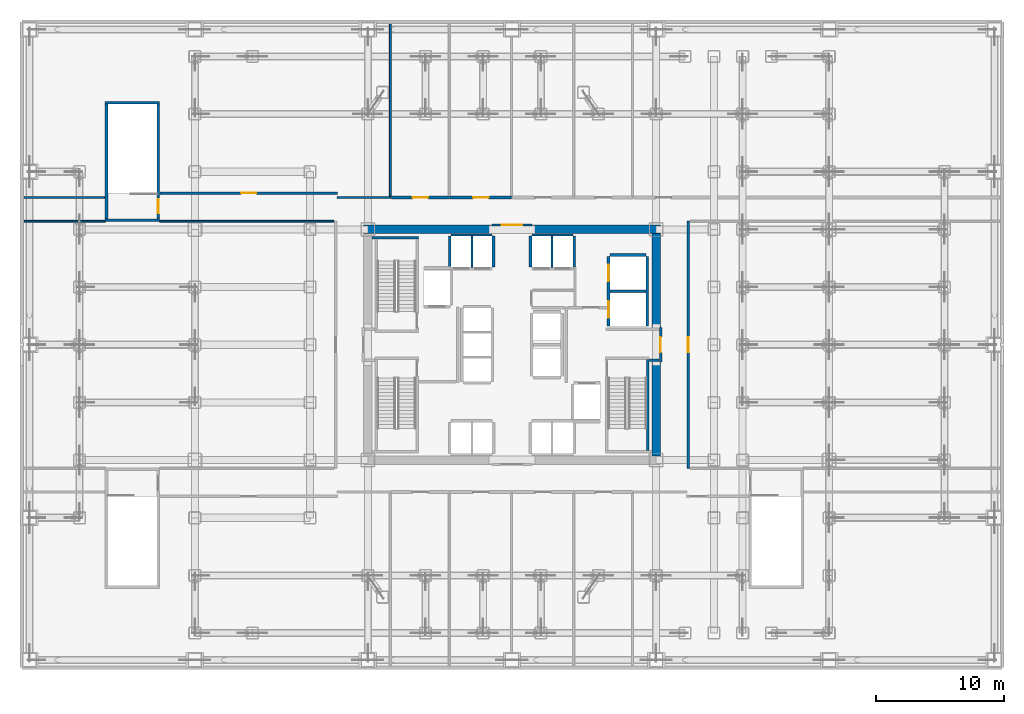
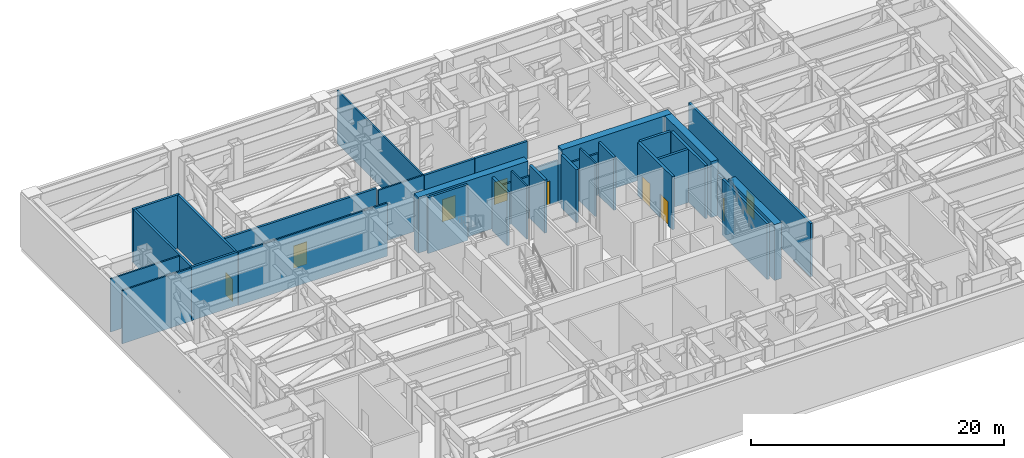
# One storey, part 12 of 17: 34 walls, 9 doors, 9 openings.
"""IFC4 building model written with IfcOpenShell, lengths in metres."""

from ifc_helpers import new_model, si_unit, direction, frame, frame_2d, origin, place, context, subcontext, project, spatial, rectangle, extrude, source, transform, mapped, material, layer, layer_set, type_object, element, fill, save


model = new_model("IFC4")

# Units and contexts
model_context = context("Model", 3, precision=1e-05, world=origin(), true_north=direction((0.0, 1.0)))
body_context = subcontext(model_context, "Body", "Model", "MODEL_VIEW")
ifc_project = project(units=[si_unit("LENGTHUNIT", "METRE"), si_unit("AREAUNIT", "SQUARE_METRE"), si_unit("VOLUMEUNIT", "CUBIC_METRE"), si_unit("PLANEANGLEUNIT", "RADIAN"), si_unit("MASSUNIT", "GRAM", prefix="KILO")], contexts=[model_context])

# Site, building, storey
site_placement = place(None, origin())
site = spatial("IfcSite", under=ifc_project, at=site_placement, CompositionType="ELEMENT")
building_placement = place(site_placement, origin())
building = spatial("IfcBuilding", under=site, at=building_placement, Name="Nefas-Gora Pilgrimage Tower", CompositionType="ELEMENT")
storey_placement = place(building_placement, frame((0.0, 0.0, 27.60009765625)))
storey = spatial("IfcBuildingStorey", under=building, at=storey_placement, Name="L05", CompositionType="ELEMENT", Elevation=27.60009765625)

# Walls
ifc_material_1 = material(Name="Concrete C60/75", Category="concrete")
ifc_layer_1 = layer(ifc_material_1, 0.64990234375)
ifc_layer_set_1 = layer_set([ifc_layer_1], Name="Concrete C60/75")
wall_type_1 = type_object("IfcWallType", Name="SW-CORE-650", PredefinedType="SHEAR", material=ifc_layer_set_1)
shared_shape_1 = source(origin(), body_context, "Body", "SweptSolid", [
    extrude(rectangle(XDim=10.02490234375, YDim=0.64990234375, at=frame_2d((5.012451171875, 0.0))), origin(), (0.0, 0.0, 1.0), 5.39990234375),
])
for number, where, z_axis, x_axis, name in (
    (1, (-11.574951171875, 9.0, 0.0), (0.0, 0.0, 1.0), (1.0, 0.0, 0.0), "L05 Core Shear Wall N-West"),
    (2, (1.550048828125, 9.0, 0.0), (0.0, 0.0, 1.0), (1.0, 0.0, 0.0), "L05 Core Shear Wall N-East"),
):
    element("IfcWall", number, at=place(storey_placement, frame(where, z_axis=z_axis, x_axis=x_axis)), inside=storey, type_object=wall_type_1, Name=name, PredefinedType="SHEAR", context=body_context, shape_type="MappedRepresentation", body=[
        mapped(shared_shape_1, transform((0.0, 0.0, 0.0), x_axis=(1.0, 0.0, 0.0), y_axis=(0.0, 1.0, 0.0), z_axis=(0.0, 0.0, 1.0), scale=1.0)),
    ])
shared_shape_2 = source(origin(), body_context, "Body", "SweptSolid", [
    extrude(rectangle(XDim=7.324951171875, YDim=0.64990234375, at=frame_2d((3.66259765625, 0.0))), origin(), (0.0, 0.0, 1.0), 5.39990234375),
])
for number, where, z_axis, x_axis, name in (
    (3, (11.25, -8.675048828125, 0.0), (0.0, 0.0, 1.0), (0.0, 1.0, 0.0), "L05 Core Shear Wall E-South"),
    (4, (11.25, 1.35009765625, 0.0), (0.0, 0.0, 1.0), (0.0, 1.0, 0.0), "L05 Core Shear Wall E-North"),
):
    element("IfcWall", number, at=place(storey_placement, frame(where, z_axis=z_axis, x_axis=x_axis)), inside=storey, type_object=wall_type_1, Name=name, PredefinedType="SHEAR", context=body_context, shape_type="MappedRepresentation", body=[
        mapped(shared_shape_2, transform((0.0, 0.0, 0.0), x_axis=(1.0, 0.0, 0.0), y_axis=(0.0, 1.0, 0.0), z_axis=(0.0, 0.0, 1.0), scale=1.0)),
    ])
ifc_material_2 = material(Name="Concrete C45/55", Category="concrete")
ifc_layer_2 = layer(ifc_material_2, 0.199951171875)
ifc_layer_set_2 = layer_set([ifc_layer_2], Name="Concrete C45/55")
wall_type_2 = type_object("IfcWallType", Name="IW-STAIR-200", PredefinedType="SOLIDWALL", material=ifc_layer_set_2)
shared_shape_3 = source(origin(), body_context, "Body", "SweptSolid", [
    extrude(rectangle(XDim=3.6298828125, YDim=0.199951171875, at=frame_2d((1.81494140625, 0.0))), origin(), (0.0, 0.0, 1.0), 5.39990234375),
])
wall_1_placement = place(storey_placement, frame((-7.300048828125, 8.35009765625, 0.0), z_axis=(0.0, 0.0, 1.0), x_axis=(-1.0, 0.0, 0.0)))
element("IfcWall", 5, at=wall_1_placement, inside=storey, type_object=wall_type_2, Name="L05 Stairwell Shear Wall ST-01-far", PredefinedType="SOLIDWALL", context=body_context, shape_type="MappedRepresentation", body=[
    mapped(shared_shape_3, transform((0.0, 0.0, 0.0), x_axis=(1.0, 0.0, 0.0), y_axis=(0.0, 1.0, 0.0), z_axis=(0.0, 0.0, 1.0), scale=1.0)),
])
shared_shape_4 = source(origin(), body_context, "Body", "SweptSolid", [
    extrude(rectangle(XDim=7.10009765625, YDim=0.199951171875, at=frame_2d((3.550048828125, 0.0))), origin(), (0.0, 0.0, 1.0), 5.39990234375),
])
wall_2_placement = place(storey_placement, frame((10.60009765625, -1.14990234375, 0.0), z_axis=(0.0, 0.0, 1.0), x_axis=(0.0, -1.0, 0.0)))
element("IfcWall", 6, at=wall_2_placement, inside=storey, type_object=wall_type_2, Name="L05 Stairwell Shear Wall ST-02-right", PredefinedType="SOLIDWALL", context=body_context, shape_type="MappedRepresentation", body=[
    mapped(shared_shape_4, transform((0.0, 0.0, 0.0), x_axis=(1.0, 0.0, 0.0), y_axis=(0.0, 1.0, 0.0), z_axis=(0.0, 0.0, 1.0), scale=1.0)),
])
shared_shape_5 = source(origin(), body_context, "Body", "SweptSolid", [
    extrude(rectangle(XDim=4.239990234375, YDim=0.199951171875, at=frame_2d((2.1201171875, 0.0))), origin(), (0.0, 0.0, 1.0), 5.14990234375),
])
for number, where, z_axis, x_axis, name in (
    (7, (-27.5, 9.699951171875, 0.0), (0.0, 0.0, 1.0), (-1.0, 0.0, 0.0), "L05 Stairwell Shear Wall ST-04-near"),
    (8, (-27.5, 18.89990234375, 0.0), (0.0, 0.0, 1.0), (-1.0, 0.0, 0.0), "L05 Stairwell Shear Wall ST-04-far"),
):
    element("IfcWall", number, at=place(storey_placement, frame(where, z_axis=z_axis, x_axis=x_axis)), inside=storey, type_object=wall_type_2, Name=name, PredefinedType="SOLIDWALL", context=body_context, shape_type="MappedRepresentation", body=[
        mapped(shared_shape_5, transform((0.0, 0.0, 0.0), x_axis=(1.0, 0.0, 0.0), y_axis=(0.0, 1.0, 0.0), z_axis=(0.0, 0.0, 1.0), scale=1.0)),
    ])

# Wall, opening, door
shared_shape_6 = source(origin(), body_context, "Body", "SweptSolid", [
    extrude(rectangle(XDim=9.0, YDim=0.199951171875, at=frame_2d((4.5, 0.0))), origin(), (0.0, 0.0, 1.0), 5.14990234375),
])
wall_3_placement = place(storey_placement, frame((-27.60009765625, 9.800048828125, 0.0), z_axis=(0.0, 0.0, 1.0), x_axis=(0.0, 1.0, 0.0)))
wall_3 = element("IfcWall", 9, at=wall_3_placement, inside=storey, type_object=wall_type_2, Name="L05 Stairwell Shear Wall ST-04-left", PredefinedType="SOLIDWALL", context=body_context, shape_type="MappedRepresentation", body=[
    mapped(shared_shape_6, transform((0.0, 0.0, 0.0), x_axis=(1.0, 0.0, 0.0), y_axis=(0.0, 1.0, 0.0), z_axis=(0.0, 0.0, 1.0), scale=1.0)),
])
opening_1_placement = place(wall_3_placement, frame((0.449951171875, 0.0, 0.0)))
opening_1 = element("IfcOpeningElement", 10, at=opening_1_placement, cuts=wall_3, Name="Opening ID-ST1", PredefinedType="OPENING", context=body_context, shape_type="SweptSolid", body=[
    extrude(rectangle(XDim=1.10009765625, YDim=2.14990234375, at=frame_2d((0.550048828125, 1.074951171875))), frame((0.0, 0.10986328125, 0.0), z_axis=(0.0, -1.0, 0.0), x_axis=(1.0, 0.0, 0.0)), (0.0, 0.0, 1.0), 0.219970703125),
])
ifc_material_3 = material(Name="Painted galvanised steel fire stair door", Category="steel")
door_type_1 = type_object("IfcDoorType", Name="DR-INT-STAIR-1100", OperationType="NOTDEFINED", PredefinedType="DOOR", material=ifc_material_3)
shared_shape_7 = source(origin(), body_context, "Body", "SweptSolid", [
    extrude(rectangle(XDim=1.10009765625, YDim=2.14990234375, at=frame_2d((0.550048828125, 1.074951171875))), frame((0.0, 0.02490234375, 0.0), z_axis=(0.0, -1.0, 0.0), x_axis=(1.0, 0.0, 0.0)), (0.0, 0.0, 1.0), 0.050048828125),
])
door_1_placement = place(opening_1_placement, origin())
door_1 = element("IfcDoor", 11, at=door_1_placement, inside=storey, type_object=door_type_1, Name="L05 Protected Exit Stair Door ST-04", OperationType="SINGLE_SWING_LEFT", OverallHeight=2.14990234375, OverallWidth=1.10009765625, PredefinedType="DOOR", context=body_context, shape_type="MappedRepresentation", body=[
    mapped(shared_shape_7, transform((0.0, 0.0, 0.0), x_axis=(1.0, 0.0, 0.0), y_axis=(0.0, 1.0, 0.0), z_axis=(0.0, 0.0, 1.0), scale=1.0)),
])
fill(opening_1, door_1)

# Wall
wall_4_placement = place(storey_placement, frame((-31.639892578125, 9.800048828125, 0.0), z_axis=(0.0, 0.0, 1.0), x_axis=(0.0, 1.0, 0.0)))
element("IfcWall", 12, at=wall_4_placement, inside=storey, type_object=wall_type_2, Name="L05 Stairwell Shear Wall ST-04-right", PredefinedType="SOLIDWALL", context=body_context, shape_type="MappedRepresentation", body=[
    mapped(shared_shape_6, transform((0.0, 0.0, 0.0), x_axis=(1.0, 0.0, 0.0), y_axis=(0.0, 1.0, 0.0), z_axis=(0.0, 0.0, 1.0), scale=1.0)),
])

# Wall, openings, doors
ifc_material_4 = material(Name="Concrete C40/50", Category="concrete")
ifc_layer_3 = layer(ifc_material_4, 0.219970703125)
ifc_layer_set_3 = layer_set([ifc_layer_3], Name="Concrete C40/50")
wall_type_3 = type_object("IfcWallType", Name="IW-SHAFT-220", PredefinedType="SOLIDWALL", material=ifc_layer_set_3)
shared_shape_8 = source(origin(), body_context, "Body", "SweptSolid", [
    extrude(rectangle(XDim=5.449951171875, YDim=0.219970703125, at=frame_2d((2.72509765625, 0.0))), origin(), (0.0, 0.0, 1.0), 5.135009765625),
])
wall_5_placement = place(storey_placement, frame((7.5400390625, 6.89990234375, 0.0), z_axis=(0.0, 0.0, 1.0), x_axis=(0.0, -1.0, 0.0)))
wall_5 = element("IfcWall", 13, at=wall_5_placement, inside=storey, type_object=wall_type_3, Name="L05 Hoistway Wall SL-01-02-W", PredefinedType="SOLIDWALL", context=body_context, shape_type="MappedRepresentation", body=[
    mapped(shared_shape_8, transform((0.0, 0.0, 0.0), x_axis=(1.0, 0.0, 0.0), y_axis=(0.0, 1.0, 0.0), z_axis=(0.0, 0.0, 1.0), scale=1.0)),
])
opening_2_placement = place(wall_5_placement, frame((3.5, 0.0, 0.0)))
opening_2 = element("IfcOpeningElement", 14, at=opening_2_placement, cuts=wall_5, Name="Opening LD-SV", PredefinedType="OPENING", context=body_context, shape_type="SweptSolid", body=[
    extrude(rectangle(XDim=1.300048828125, YDim=2.300048828125, at=frame_2d((0.64990234375, 1.14990234375))), frame((0.0, 0.119873046875, 0.0), z_axis=(0.0, -1.0, 0.0), x_axis=(1.0, 0.0, 0.0)), (0.0, 0.0, 1.0), 0.239990234375),
])
opening_3_placement = place(wall_5_placement, frame((0.64990234375, 0.0, 0.0)))
opening_3 = element("IfcOpeningElement", 15, at=opening_3_placement, cuts=wall_5, Name="Opening LD-SV", PredefinedType="OPENING", context=body_context, shape_type="SweptSolid", body=[
    extrude(rectangle(XDim=1.300048828125, YDim=2.300048828125, at=frame_2d((0.64990234375, 1.14990234375))), frame((0.0, 0.119873046875, 0.0), z_axis=(0.0, -1.0, 0.0), x_axis=(1.0, 0.0, 0.0)), (0.0, 0.0, 1.0), 0.239990234375),
])
ifc_material_5 = material(Name="Heavy goods sliding lift landing door")
door_type_2 = type_object("IfcDoorType", Name="DR-LIFT-SERV-1300", OperationType="SLIDING_TO_RIGHT", PredefinedType="DOOR", material=ifc_material_5)
shared_shape_9 = source(origin(), body_context, "Body", "SweptSolid", [
    extrude(rectangle(XDim=1.300048828125, YDim=2.300048828125, at=frame_2d((0.64990234375, 1.14990234375))), frame((0.0, 0.02490234375, 0.0), z_axis=(0.0, -1.0, 0.0), x_axis=(1.0, 0.0, 0.0)), (0.0, 0.0, 1.0), 0.050048828125),
])
door_2_placement = place(opening_2_placement, origin())
door_2 = element("IfcDoor", 16, at=door_2_placement, inside=storey, type_object=door_type_2, Name="L05 Sliding Lift Landing Door SL-01", OperationType="SLIDING_TO_RIGHT", OverallHeight=2.300048828125, OverallWidth=1.300048828125, PredefinedType="DOOR", context=body_context, shape_type="MappedRepresentation", body=[
    mapped(shared_shape_9, transform((0.0, 0.0, 0.0), x_axis=(1.0, 0.0, 0.0), y_axis=(0.0, 1.0, 0.0), z_axis=(0.0, 0.0, 1.0), scale=1.0)),
])
fill(opening_2, door_2)
door_3_placement = place(opening_3_placement, origin())
door_3 = element("IfcDoor", 17, at=door_3_placement, inside=storey, type_object=door_type_2, Name="L05 Sliding Lift Landing Door SL-02", OperationType="SLIDING_TO_RIGHT", OverallHeight=2.300048828125, OverallWidth=1.300048828125, PredefinedType="DOOR", context=body_context, shape_type="MappedRepresentation", body=[
    mapped(shared_shape_9, transform((0.0, 0.0, 0.0), x_axis=(1.0, 0.0, 0.0), y_axis=(0.0, 1.0, 0.0), z_axis=(0.0, 0.0, 1.0), scale=1.0)),
])
fill(opening_3, door_3)

# Walls
wall_6_placement = place(storey_placement, frame((10.56005859375, 1.449951171875, 0.0), z_axis=(0.0, 0.0, 1.0), x_axis=(0.0, 1.0, 0.0)))
element("IfcWall", 18, at=wall_6_placement, inside=storey, type_object=wall_type_3, Name="L05 Hoistway Wall SL-01-02-E", PredefinedType="SOLIDWALL", context=body_context, shape_type="MappedRepresentation", body=[
    mapped(shared_shape_8, transform((0.0, 0.0, 0.0), x_axis=(1.0, 0.0, 0.0), y_axis=(0.0, 1.0, 0.0), z_axis=(0.0, 0.0, 1.0), scale=1.0)),
])
shared_shape_10 = source(origin(), body_context, "Body", "SweptSolid", [
    extrude(rectangle(XDim=2.780029296875, YDim=0.219970703125, at=frame_2d((1.39013671875, 0.0))), origin(), (0.0, 0.0, 1.0), 5.135009765625),
])
for number, where, z_axis, x_axis, name in (
    (19, (7.659912109375, 4.175048828125, 0.0), (0.0, 0.0, 1.0), (1.0, 0.0, 0.0), "L05 Hoistway Wall SL-01-02-DIV"),
    (20, (10.43994140625, 7.010009765625, 0.0), (0.0, 0.0, 1.0), (-1.0, 0.0, 0.0), "L05 Hoistway Wall SL-02-N"),
):
    element("IfcWall", number, at=place(storey_placement, frame(where, z_axis=z_axis, x_axis=x_axis)), inside=storey, type_object=wall_type_3, Name=name, PredefinedType="SOLIDWALL", context=body_context, shape_type="MappedRepresentation", body=[
        mapped(shared_shape_10, transform((0.0, 0.0, 0.0), x_axis=(1.0, 0.0, 0.0), y_axis=(0.0, 1.0, 0.0), z_axis=(0.0, 0.0, 1.0), scale=1.0)),
    ])
ifc_material_6 = material(Name="Gypsum acoustic stud partition")
ifc_layer_4 = layer(ifc_material_6, 0.159912109375)
ifc_layer_set_4 = layer_set([ifc_layer_4], Name="Gypsum acoustic stud partition")
wall_type_4 = type_object("IfcWallType", Name="IW-CORR-160", PredefinedType="PARTITIONING", material=ifc_layer_set_4)
shared_shape_11 = source(origin(), body_context, "Body", "SweptSolid", [
    extrude(rectangle(XDim=3.199951171875, YDim=0.159912109375, at=frame_2d((1.60009765625, 0.0))), origin(), (0.0, 0.0, 1.0), 4.02490234375),
])
for number, where, z_axis, x_axis, name in (
    (21, (-1.550048828125, 8.580078125, 0.0), (0.0, 0.0, 1.0), (-1.0, 0.0, 0.0), "L05 Hoistway Wall PL1-W-N"),
    (22, (4.75, 8.580078125, 0.0), (0.0, 0.0, 1.0), (-1.0, 0.0, 0.0), "L05 Hoistway Wall PL1-E-N"),
):
    element("IfcWall", number, at=place(storey_placement, frame(where, z_axis=z_axis, x_axis=x_axis)), inside=storey, type_object=wall_type_4, Name=name, PredefinedType="PARTITIONING", context=body_context, shape_type="MappedRepresentation", body=[
        mapped(shared_shape_11, transform((0.0, 0.0, 0.0), x_axis=(1.0, 0.0, 0.0), y_axis=(0.0, 1.0, 0.0), z_axis=(0.0, 0.0, 1.0), scale=1.0)),
    ])
shared_shape_12 = source(origin(), body_context, "Body", "SweptSolid", [
    extrude(rectangle(XDim=2.429931640625, YDim=0.219970703125, at=frame_2d((1.21484375, 0.0))), origin(), (0.0, 0.0, 1.0), 5.135009765625),
])
for number, where, z_axis, x_axis, name in (
    (23, (-4.860107421875, 8.489990234375, 0.0), (0.0, 0.0, 1.0), (0.0, -1.0, 0.0), "L05 Hoistway Wall PL1-W-W"),
    (24, (-1.43994140625, 6.06005859375, 0.0), (0.0, 0.0, 1.0), (0.0, 1.0, 0.0), "L05 Hoistway Wall PL1-W-E"),
    (25, (1.43994140625, 8.489990234375, 0.0), (0.0, 0.0, 1.0), (0.0, -1.0, 0.0), "L05 Hoistway Wall PL1-E-W"),
    (26, (4.860107421875, 6.06005859375, 0.0), (0.0, 0.0, 1.0), (0.0, 1.0, 0.0), "L05 Hoistway Wall PL1-E-E"),
):
    element("IfcWall", number, at=place(storey_placement, frame(where, z_axis=z_axis, x_axis=x_axis)), inside=storey, type_object=wall_type_3, Name=name, PredefinedType="SOLIDWALL", context=body_context, shape_type="MappedRepresentation", body=[
        mapped(shared_shape_12, transform((0.0, 0.0, 0.0), x_axis=(1.0, 0.0, 0.0), y_axis=(0.0, 1.0, 0.0), z_axis=(0.0, 0.0, 1.0), scale=1.0)),
    ])
ifc_material_7 = material(Name="Gypsum twin-stud partition")
ifc_layer_5 = layer(ifc_material_7, 0.139892578125)
ifc_layer_set_5 = layer_set([ifc_layer_5], Name="Gypsum twin-stud partition")
wall_type_5 = type_object("IfcWallType", Name="IW-UNIT-140", PredefinedType="PARTITIONING", material=ifc_layer_set_5)
shared_shape_13 = source(origin(), body_context, "Body", "SweptSolid", [
    extrude(rectangle(XDim=2.429931640625, YDim=0.139892578125, at=frame_2d((1.21484375, 0.0))), origin(), (0.0, 0.0, 1.0), 5.135009765625),
])
for number, where, z_axis, x_axis, name in (
    (27, (-3.125, 6.06005859375, 0.0), (0.0, 0.0, 1.0), (0.0, 1.0, 0.0), "L05 Hoistway Wall PL1-W-DIV"),
    (28, (3.125, 6.06005859375, 0.0), (0.0, 0.0, 1.0), (0.0, 1.0, 0.0), "L05 Hoistway Wall PL1-E-DIV"),
):
    element("IfcWall", number, at=place(storey_placement, frame(where, z_axis=z_axis, x_axis=x_axis)), inside=storey, type_object=wall_type_5, Name=name, PredefinedType="PARTITIONING", context=body_context, shape_type="MappedRepresentation", body=[
        mapped(shared_shape_13, transform((0.0, 0.0, 0.0), x_axis=(1.0, 0.0, 0.0), y_axis=(0.0, 1.0, 0.0), z_axis=(0.0, 0.0, 1.0), scale=1.0)),
    ])

# Wall, opening, door
ifc_material_8 = material(Name="Gypsum fire-rated shaftwall")
ifc_layer_6 = layer(ifc_material_8, 0.199951171875)
ifc_layer_set_6 = layer_set([ifc_layer_6], Name="Gypsum fire-rated shaftwall")
wall_type_6 = type_object("IfcWallType", Name="IW-FFLOB-200", PredefinedType="PARTITIONING", material=ifc_layer_set_6)
shared_shape_14 = source(origin(), body_context, "Body", "SweptSolid", [
    extrude(rectangle(XDim=2.7001953125, YDim=0.199951171875, at=frame_2d((1.35009765625, 0.0))), origin(), (0.0, 0.0, 1.0), 4.02490234375),
])
wall_7_placement = place(storey_placement, frame((11.60009765625, -1.35009765625, 0.0), z_axis=(0.0, 0.0, 1.0), x_axis=(0.0, 1.0, 0.0)))
wall_7 = element("IfcWall", 29, at=wall_7_placement, inside=storey, type_object=wall_type_6, Name="L05 FF Lobby East Portal Wall 8", PredefinedType="PARTITIONING", context=body_context, shape_type="MappedRepresentation", body=[
    mapped(shared_shape_14, transform((0.0, 0.0, 0.0), x_axis=(1.0, 0.0, 0.0), y_axis=(0.0, 1.0, 0.0), z_axis=(0.0, 0.0, 1.0), scale=1.0)),
])
opening_4_placement = place(wall_7_placement, frame((0.75, 0.0, 0.0)))
opening_4 = element("IfcOpeningElement", 30, at=opening_4_placement, cuts=wall_7, Name="Opening ID-FF1", PredefinedType="OPENING", context=body_context, shape_type="SweptSolid", body=[
    extrude(rectangle(XDim=1.199951171875, YDim=2.14990234375, at=frame_2d((0.60009765625, 1.074951171875))), frame((0.0, 0.10986328125, 0.0), z_axis=(0.0, -1.0, 0.0), x_axis=(1.0, 0.0, 0.0)), (0.0, 0.0, 1.0), 0.219970703125),
])
ifc_material_9 = material(Name="Smoke-sealed steel firefighting lobby door", Category="steel")
door_type_3 = type_object("IfcDoorType", Name="DR-INT-FFLOB-1200", OperationType="NOTDEFINED", PredefinedType="DOOR", material=ifc_material_9)
shared_shape_15 = source(origin(), body_context, "Body", "SweptSolid", [
    extrude(rectangle(XDim=1.199951171875, YDim=2.14990234375, at=frame_2d((0.60009765625, 1.074951171875))), frame((0.0, 0.02490234375, 0.0), z_axis=(0.0, -1.0, 0.0), x_axis=(1.0, 0.0, 0.0)), (0.0, 0.0, 1.0), 0.050048828125),
])
door_4_placement = place(opening_4_placement, origin())
door_4 = element("IfcDoor", 31, at=door_4_placement, inside=storey, type_object=door_type_3, Name="L05 FF Lobby East Portal Door 2", OperationType="SINGLE_SWING_RIGHT", OverallHeight=2.14990234375, OverallWidth=1.199951171875, PredefinedType="DOOR", context=body_context, shape_type="MappedRepresentation", body=[
    mapped(shared_shape_15, transform((0.0, 0.0, 0.0), x_axis=(1.0, 0.0, 0.0), y_axis=(0.0, 1.0, 0.0), z_axis=(0.0, 0.0, 1.0), scale=1.0)),
])
fill(opening_4, door_4)

# Wall
shared_shape_16 = source(origin(), body_context, "Body", "SweptSolid", [
    extrude(rectangle(XDim=0.719970703125, YDim=0.199951171875, at=frame_2d((0.35986328125, 0.0))), origin(), (0.0, 0.0, 1.0), 5.135009765625),
])
wall_8_placement = place(storey_placement, frame((10.739990234375, -1.219970703125, 0.0), z_axis=(0.0, 0.0, 1.0), x_axis=(1.0, 0.0, 0.0)))
element("IfcWall", 32, at=wall_8_placement, inside=storey, type_object=wall_type_6, Name="L05 FF Lobby East Throat S Wall 13", PredefinedType="PARTITIONING", context=body_context, shape_type="MappedRepresentation", body=[
    mapped(shared_shape_16, transform((0.0, 0.0, 0.0), x_axis=(1.0, 0.0, 0.0), y_axis=(0.0, 1.0, 0.0), z_axis=(0.0, 0.0, 1.0), scale=1.0)),
])

# Wall, opening, door
shared_shape_17 = source(origin(), body_context, "Body", "SweptSolid", [
    extrude(rectangle(XDim=3.08984375, YDim=0.159912109375, at=frame_2d((1.544921875, 0.0))), origin(), (0.0, 0.0, 1.0), 4.02490234375),
])
wall_9_placement = place(storey_placement, frame((-1.544921875, 9.35009765625, 0.0), z_axis=(0.0, 0.0, 1.0), x_axis=(1.0, 0.0, 0.0)))
wall_9 = element("IfcWall", 33, at=wall_9_placement, inside=storey, type_object=wall_type_4, Name="L05 Central Lift Lobby North Portal Wall 14", PredefinedType="PARTITIONING", context=body_context, shape_type="MappedRepresentation", body=[
    mapped(shared_shape_17, transform((0.0, 0.0, 0.0), x_axis=(1.0, 0.0, 0.0), y_axis=(0.0, 1.0, 0.0), z_axis=(0.0, 0.0, 1.0), scale=1.0)),
])
opening_5_placement = place(wall_9_placement, frame((0.7451171875, 0.0, 0.0)))
opening_5 = element("IfcOpeningElement", 34, at=opening_5_placement, cuts=wall_9, Name="Opening ID-HL1", PredefinedType="OPENING", context=body_context, shape_type="SweptSolid", body=[
    extrude(rectangle(XDim=1.60009765625, YDim=2.300048828125, at=frame_2d((0.800048828125, 1.14990234375))), frame((0.0, 0.08984375, 0.0), z_axis=(0.0, -1.0, 0.0), x_axis=(1.0, 0.0, 0.0)), (0.0, 0.0, 1.0), 0.179931640625),
])
ifc_material_10 = material(Name="Double acoustic timber assembly hall door", Category="wood")
door_type_4 = type_object("IfcDoorType", Name="DR-INT-HALL-1600", OperationType="DOUBLE_DOOR_SINGLE_SWING", PredefinedType="DOOR", material=ifc_material_10)
shared_shape_18 = source(origin(), body_context, "Body", "SweptSolid", [
    extrude(rectangle(XDim=1.60009765625, YDim=2.300048828125, at=frame_2d((0.800048828125, 1.14990234375))), frame((0.0, 0.02490234375, 0.0), z_axis=(0.0, -1.0, 0.0), x_axis=(1.0, 0.0, 0.0)), (0.0, 0.0, 1.0), 0.050048828125),
])
door_5_placement = place(opening_5_placement, origin())
door_5 = element("IfcDoor", 35, at=door_5_placement, inside=storey, type_object=door_type_4, Name="L05 Central Lift Lobby North Portal Door 4", OperationType="DOUBLE_DOOR_SINGLE_SWING", OverallHeight=2.300048828125, OverallWidth=1.60009765625, PredefinedType="DOOR", context=body_context, shape_type="MappedRepresentation", body=[
    mapped(shared_shape_18, transform((0.0, 0.0, 0.0), x_axis=(1.0, 0.0, 0.0), y_axis=(0.0, 1.0, 0.0), z_axis=(0.0, 0.0, 1.0), scale=1.0)),
])
fill(opening_5, door_5)

ifc_layer_7 = layer(ifc_material_4, 0.199951171875)
ifc_layer_set_7 = layer_set([ifc_layer_7], Name="Concrete C40/50")
wall_type_7 = type_object("IfcWallType", Name="IW-PLANT-200", PredefinedType="SOLIDWALL", material=ifc_layer_set_7)
shared_shape_19 = source(origin(), body_context, "Body", "SweptSolid", [
    extrude(rectangle(XDim=19.27978515625, YDim=0.199951171875, at=frame_2d((9.639892578125, 0.0))), origin(), (0.0, 0.0, 1.0), 5.135009765625),
])
wall_10_placement = place(storey_placement, frame((13.75, -9.639892578125, 0.0), z_axis=(0.0, 0.0, 1.0), x_axis=(0.0, 1.0, 0.0)))
wall_10 = element("IfcWall", 36, at=wall_10_placement, inside=storey, type_object=wall_type_7, Name="L05 Refuge Area East Partition Wall 24", PredefinedType="SOLIDWALL", context=body_context, shape_type="MappedRepresentation", body=[
    mapped(shared_shape_19, transform((0.0, 0.0, 0.0), x_axis=(1.0, 0.0, 0.0), y_axis=(0.0, 1.0, 0.0), z_axis=(0.0, 0.0, 1.0), scale=1.0)),
])
opening_6_placement = place(wall_10_placement, frame((9.0400390625, 0.0, 0.0)))
opening_6 = element("IfcOpeningElement", 37, at=opening_6_placement, cuts=wall_10, Name="Opening ID-PL1", PredefinedType="OPENING", context=body_context, shape_type="SweptSolid", body=[
    extrude(rectangle(XDim=1.199951171875, YDim=2.14990234375, at=frame_2d((0.60009765625, 1.074951171875))), frame((0.0, 0.10986328125, 0.0), z_axis=(0.0, -1.0, 0.0), x_axis=(1.0, 0.0, 0.0)), (0.0, 0.0, 1.0), 0.219970703125),
])
ifc_material_11 = material(Name="Heavy-duty steel plant room fire door", Category="steel")
door_type_5 = type_object("IfcDoorType", Name="DR-INT-PLANT-1200", OperationType="NOTDEFINED", PredefinedType="DOOR", material=ifc_material_11)
door_6_placement = place(opening_6_placement, origin())
door_6 = element("IfcDoor", 38, at=door_6_placement, inside=storey, type_object=door_type_5, Name="L05 Refuge Area East Door 8", OperationType="SINGLE_SWING_RIGHT", OverallHeight=2.14990234375, OverallWidth=1.199951171875, PredefinedType="DOOR", context=body_context, shape_type="MappedRepresentation", body=[
    mapped(shared_shape_15, transform((0.0, 0.0, 0.0), x_axis=(1.0, 0.0, 0.0), y_axis=(0.0, 1.0, 0.0), z_axis=(0.0, 0.0, 1.0), scale=1.0)),
])
fill(opening_6, door_6)

# Walls
shared_shape_20 = source(origin(), body_context, "Body", "SweptSolid", [
    extrude(rectangle(XDim=6.324951171875, YDim=0.139892578125, at=frame_2d((3.16259765625, 0.0))), origin(), (0.0, 0.0, 1.0), 5.135009765625),
])
wall_11_placement = place(storey_placement, frame((-38.070068359375, 9.6298828125, 0.0), z_axis=(0.0, 0.0, 1.0), x_axis=(1.0, 0.0, 0.0)))
element("IfcWall", 39, at=wall_11_placement, inside=storey, type_object=wall_type_5, Name="L05 Refuge Area West Partition Wall 22", PredefinedType="PARTITIONING", context=body_context, shape_type="MappedRepresentation", body=[
    mapped(shared_shape_20, transform((0.0, 0.0, 0.0), x_axis=(1.0, 0.0, 0.0), y_axis=(0.0, 1.0, 0.0), z_axis=(0.0, 0.0, 1.0), scale=1.0)),
])
shared_shape_21 = source(origin(), body_context, "Body", "SweptSolid", [
    extrude(rectangle(XDim=13.605224609375, YDim=0.139892578125, at=frame_2d((6.802734375, 0.0))), origin(), (0.0, 0.0, 1.0), 5.135009765625),
])
wall_12_placement = place(storey_placement, frame((-27.4951171875, 9.6298828125, 0.0), z_axis=(0.0, 0.0, 1.0), x_axis=(1.0, 0.0, 0.0)))
element("IfcWall", 40, at=wall_12_placement, inside=storey, type_object=wall_type_5, Name="L05 Refuge Area West Partition Wall 23", PredefinedType="PARTITIONING", context=body_context, shape_type="MappedRepresentation", body=[
    mapped(shared_shape_21, transform((0.0, 0.0, 0.0), x_axis=(1.0, 0.0, 0.0), y_axis=(0.0, 1.0, 0.0), z_axis=(0.0, 0.0, 1.0), scale=1.0)),
])

# Wall, opening, door
shared_shape_22 = source(origin(), body_context, "Body", "SweptSolid", [
    extrude(rectangle(XDim=13.83984375, YDim=0.199951171875, at=frame_2d((6.919921875, 0.0))), origin(), (0.0, 0.0, 1.0), 5.135009765625),
])
wall_13_placement = place(storey_placement, frame((-27.4599609375, 11.830078125, 0.0), z_axis=(0.0, 0.0, 1.0), x_axis=(1.0, 0.0, 0.0)))
wall_13 = element("IfcWall", 41, at=wall_13_placement, inside=storey, type_object=wall_type_7, Name="L05 Water-Cooled Chiller Plant Room Partition Wall 28", PredefinedType="SOLIDWALL", context=body_context, shape_type="MappedRepresentation", body=[
    mapped(shared_shape_22, transform((0.0, 0.0, 0.0), x_axis=(1.0, 0.0, 0.0), y_axis=(0.0, 1.0, 0.0), z_axis=(0.0, 0.0, 1.0), scale=1.0)),
])
opening_7_placement = place(wall_13_placement, frame((6.320068359375, 0.0, 0.0)))
opening_7 = element("IfcOpeningElement", 42, at=opening_7_placement, cuts=wall_13, Name="Opening ID-PL1", PredefinedType="OPENING", context=body_context, shape_type="SweptSolid", body=[
    extrude(rectangle(XDim=1.199951171875, YDim=2.14990234375, at=frame_2d((0.60009765625, 1.074951171875))), frame((0.0, 0.10986328125, 0.0), z_axis=(0.0, -1.0, 0.0), x_axis=(1.0, 0.0, 0.0)), (0.0, 0.0, 1.0), 0.219970703125),
])
door_7_placement = place(opening_7_placement, origin())
door_7 = element("IfcDoor", 43, at=door_7_placement, inside=storey, type_object=door_type_5, Name="L05 Water-Cooled Chiller Plant Room Door 9", OperationType="SINGLE_SWING_LEFT", OverallHeight=2.14990234375, OverallWidth=1.199951171875, PredefinedType="DOOR", context=body_context, shape_type="MappedRepresentation", body=[
    mapped(shared_shape_15, transform((0.0, 0.0, 0.0), x_axis=(1.0, 0.0, 0.0), y_axis=(0.0, 1.0, 0.0), z_axis=(0.0, 0.0, 1.0), scale=1.0)),
])
fill(opening_7, door_7)

# Walls
shared_shape_23 = source(origin(), body_context, "Body", "SweptSolid", [
    extrude(rectangle(XDim=4.159912109375, YDim=0.139892578125, at=frame_2d((2.080078125, 0.0))), origin(), (0.0, 0.0, 1.0), 5.135009765625),
])
wall_14_placement = place(storey_placement, frame((-13.639892578125, 11.489990234375, 0.0), z_axis=(0.0, 0.0, 1.0), x_axis=(1.0, 0.0, 0.0)))
element("IfcWall", 44, at=wall_14_placement, inside=storey, type_object=wall_type_5, Name="L05 Water-Cooled Chiller Plant Room Partition Wall 29", PredefinedType="PARTITIONING", context=body_context, shape_type="MappedRepresentation", body=[
    mapped(shared_shape_23, transform((0.0, 0.0, 0.0), x_axis=(1.0, 0.0, 0.0), y_axis=(0.0, 1.0, 0.0), z_axis=(0.0, 0.0, 1.0), scale=1.0)),
])
shared_shape_24 = source(origin(), body_context, "Body", "SweptSolid", [
    extrude(rectangle(XDim=13.419921875, YDim=0.139892578125, at=frame_2d((6.7099609375, 0.0))), origin(), (0.0, 0.0, 1.0), 5.135009765625),
])
wall_15_placement = place(storey_placement, frame((-9.489990234375, 11.60009765625, 0.0), z_axis=(0.0, 0.0, 1.0), x_axis=(0.0, 1.0, 0.0)))
element("IfcWall", 45, at=wall_15_placement, inside=storey, type_object=wall_type_5, Name="L05 Water-Cooled Chiller Plant Room Partition Wall 30", PredefinedType="PARTITIONING", context=body_context, shape_type="MappedRepresentation", body=[
    mapped(shared_shape_24, transform((0.0, 0.0, 0.0), x_axis=(1.0, 0.0, 0.0), y_axis=(0.0, 1.0, 0.0), z_axis=(0.0, 0.0, 1.0), scale=1.0)),
])
shared_shape_25 = source(origin(), body_context, "Body", "SweptSolid", [
    extrude(rectangle(XDim=6.2900390625, YDim=0.139892578125, at=frame_2d((3.14501953125, 0.0))), origin(), (0.0, 0.0, 1.0), 5.135009765625),
])
wall_16_placement = place(storey_placement, frame((-38.070068359375, 11.489990234375, 0.0), z_axis=(0.0, 0.0, 1.0), x_axis=(1.0, 0.0, 0.0)))
element("IfcWall", 46, at=wall_16_placement, inside=storey, type_object=wall_type_5, Name="L05 Water-Cooled Chiller Plant Room Partition Wall 31", PredefinedType="PARTITIONING", context=body_context, shape_type="MappedRepresentation", body=[
    mapped(shared_shape_25, transform((0.0, 0.0, 0.0), x_axis=(1.0, 0.0, 0.0), y_axis=(0.0, 1.0, 0.0), z_axis=(0.0, 0.0, 1.0), scale=1.0)),
])

# Wall, opening, door
shared_shape_26 = source(origin(), body_context, "Body", "SweptSolid", [
    extrude(rectangle(XDim=4.5400390625, YDim=0.199951171875, at=frame_2d((2.27001953125, 0.0))), origin(), (0.0, 0.0, 1.0), 5.135009765625),
])
wall_17_placement = place(storey_placement, frame((-9.419921875, 11.489990234375, 0.0), z_axis=(0.0, 0.0, 1.0), x_axis=(1.0, 0.0, 0.0)))
wall_17 = element("IfcWall", 47, at=wall_17_placement, inside=storey, type_object=wall_type_7, Name="L05 Condenser Water Pump Plant Room Partition Wall 32", PredefinedType="SOLIDWALL", context=body_context, shape_type="MappedRepresentation", body=[
    mapped(shared_shape_26, transform((0.0, 0.0, 0.0), x_axis=(1.0, 0.0, 0.0), y_axis=(0.0, 1.0, 0.0), z_axis=(0.0, 0.0, 1.0), scale=1.0)),
])
opening_8_placement = place(wall_17_placement, frame((1.669921875, 0.0, 0.0)))
opening_8 = element("IfcOpeningElement", 48, at=opening_8_placement, cuts=wall_17, Name="Opening ID-PL1", PredefinedType="OPENING", context=body_context, shape_type="SweptSolid", body=[
    extrude(rectangle(XDim=1.199951171875, YDim=2.14990234375, at=frame_2d((0.60009765625, 1.074951171875))), frame((0.0, 0.10986328125, 0.0), z_axis=(0.0, -1.0, 0.0), x_axis=(1.0, 0.0, 0.0)), (0.0, 0.0, 1.0), 0.219970703125),
])
door_8_placement = place(opening_8_placement, origin())
door_8 = element("IfcDoor", 49, at=door_8_placement, inside=storey, type_object=door_type_5, Name="L05 Condenser Water Pump Plant Room Door 10", OperationType="SINGLE_SWING_RIGHT", OverallHeight=2.14990234375, OverallWidth=1.199951171875, PredefinedType="DOOR", context=body_context, shape_type="MappedRepresentation", body=[
    mapped(shared_shape_15, transform((0.0, 0.0, 0.0), x_axis=(1.0, 0.0, 0.0), y_axis=(0.0, 1.0, 0.0), z_axis=(0.0, 0.0, 1.0), scale=1.0)),
])
fill(opening_8, door_8)

shared_shape_27 = source(origin(), body_context, "Body", "SweptSolid", [
    extrude(rectangle(XDim=4.7900390625, YDim=0.199951171875, at=frame_2d((2.39501953125, 0.0))), origin(), (0.0, 0.0, 1.0), 5.135009765625),
])
wall_18_placement = place(storey_placement, frame((-4.820068359375, 11.489990234375, 0.0), z_axis=(0.0, 0.0, 1.0), x_axis=(1.0, 0.0, 0.0)))
wall_18 = element("IfcWall", 50, at=wall_18_placement, inside=storey, type_object=wall_type_7, Name="L05 Plate Heat Exchanger Plant Room Partition Wall 34", PredefinedType="SOLIDWALL", context=body_context, shape_type="MappedRepresentation", body=[
    mapped(shared_shape_27, transform((0.0, 0.0, 0.0), x_axis=(1.0, 0.0, 0.0), y_axis=(0.0, 1.0, 0.0), z_axis=(0.0, 0.0, 1.0), scale=1.0)),
])
opening_9_placement = place(wall_18_placement, frame((1.794921875, 0.0, 0.0)))
opening_9 = element("IfcOpeningElement", 51, at=opening_9_placement, cuts=wall_18, Name="Opening ID-PL1", PredefinedType="OPENING", context=body_context, shape_type="SweptSolid", body=[
    extrude(rectangle(XDim=1.199951171875, YDim=2.14990234375, at=frame_2d((0.60009765625, 1.074951171875))), frame((0.0, 0.10986328125, 0.0), z_axis=(0.0, -1.0, 0.0), x_axis=(1.0, 0.0, 0.0)), (0.0, 0.0, 1.0), 0.219970703125),
])
door_9_placement = place(opening_9_placement, origin())
door_9 = element("IfcDoor", 52, at=door_9_placement, inside=storey, type_object=door_type_5, Name="L05 Plate Heat Exchanger Plant Room Door 11", OperationType="SINGLE_SWING_LEFT", OverallHeight=2.14990234375, OverallWidth=1.199951171875, PredefinedType="DOOR", context=body_context, shape_type="MappedRepresentation", body=[
    mapped(shared_shape_15, transform((0.0, 0.0, 0.0), x_axis=(1.0, 0.0, 0.0), y_axis=(0.0, 1.0, 0.0), z_axis=(0.0, 0.0, 1.0), scale=1.0)),
])
fill(opening_9, door_9)

save(model, "model.ifc")
